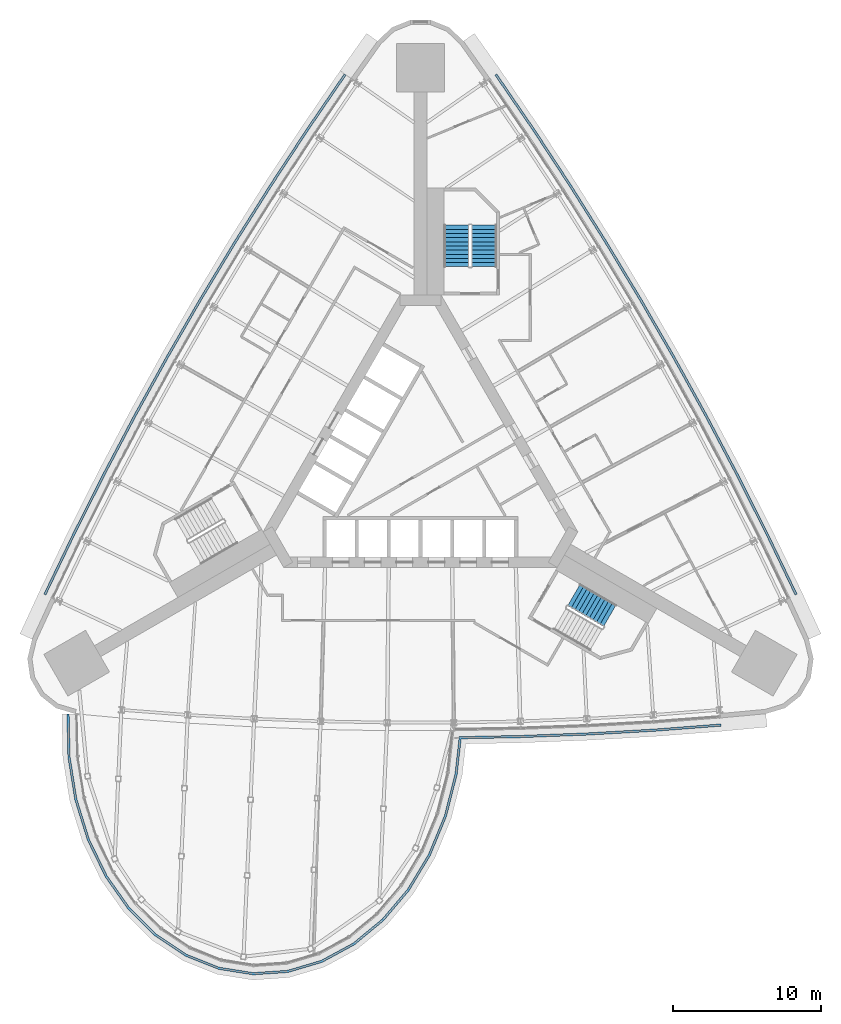
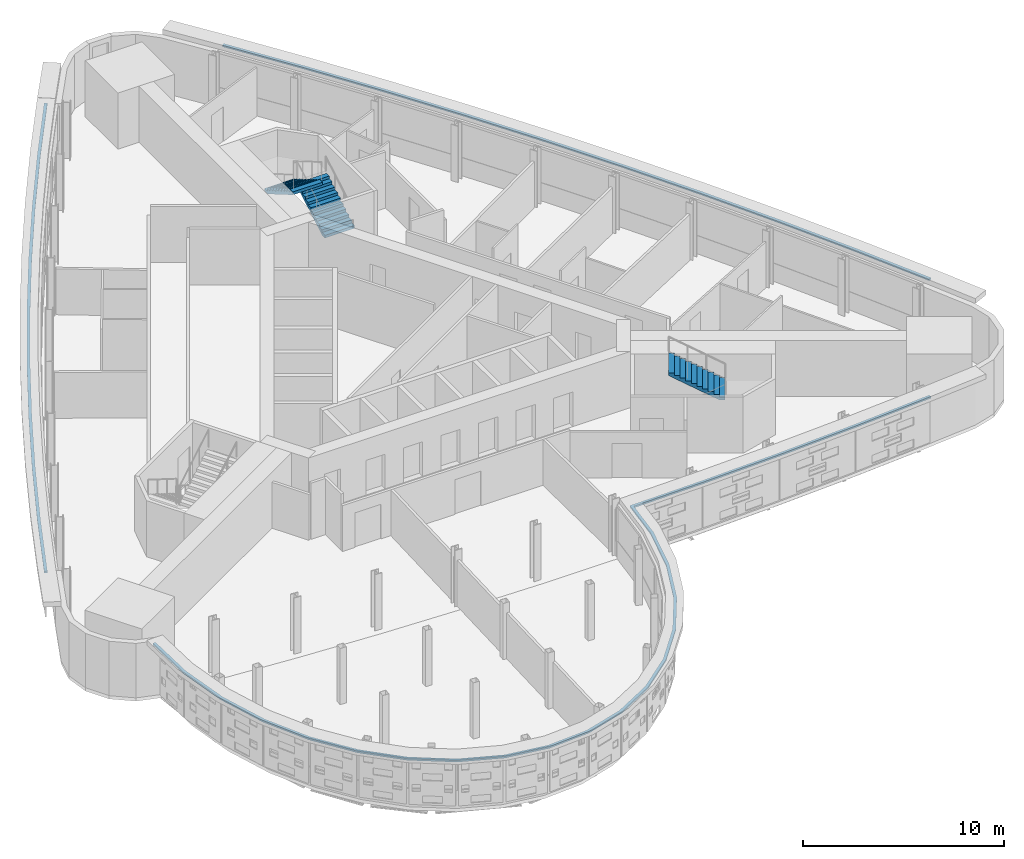
# One storey, part 13 of 16: 3 discrete accessories, 3 stair flights, 2 elements without a shape of their own.
"""IFC4 building model written with IfcOpenShell, lengths in metres."""

from ifc_helpers import new_model, si_unit, direction, frame, origin, place, context, subcontext, project, spatial, polyline, outline, extrude, material, type_object, element, aggregate, save


model = new_model("IFC4")

# Units and contexts
model_context = context("Model", 3, precision=1e-05, world=origin(), true_north=direction((0.0, 1.0)))
body_context = subcontext(model_context, "Body", "Model", "MODEL_VIEW")
ifc_project = project(units=[si_unit("LENGTHUNIT", "METRE"), si_unit("AREAUNIT", "SQUARE_METRE"), si_unit("VOLUMEUNIT", "CUBIC_METRE"), si_unit("PLANEANGLEUNIT", "RADIAN"), si_unit("MASSUNIT", "GRAM", prefix="KILO")], contexts=[model_context])

# Site, building, storey
site_placement = place(None, origin())
site = spatial("IfcSite", under=ifc_project, at=site_placement, CompositionType="ELEMENT")
building_placement = place(site_placement, origin())
building = spatial("IfcBuilding", under=site, at=building_placement, Name="Noor Cloister Tower", CompositionType="ELEMENT")
storey_placement = place(building_placement, frame((0.0, 0.0, 61.800048828125)))
storey = spatial("IfcBuildingStorey", under=building, at=storey_placement, Name="L15", CompositionType="ELEMENT", Elevation=61.800048828125)

# Stair, stair flights
ifc_material_1 = material(Name="Concrete C40/50", Category="concrete")
stair_type = type_object("IfcStairType", Name="Exit stair 22 risers", PredefinedType="HALF_TURN_STAIR", material=ifc_material_1)
stair_1_placement = place(storey_placement, origin())
stair_1 = element("IfcStair", 1, at=stair_1_placement, inside=storey, type_object=stair_type, Name="Exit stair ST1 L15", PredefinedType="HALF_TURN_STAIR")
ifc_material_2 = material(Name="Concrete C40/50", Category="concrete")
stair_flight_type = type_object("IfcStairFlightType", Name="Exit stair flight", PredefinedType="STRAIGHT", material=ifc_material_2)
stair_flight_1_placement = place(storey_placement, frame((4.28564453125, 13.3564453125, 0.0), z_axis=(0.0, 0.0, 1.0), x_axis=(0.0, 1.0, 0.0)))
stair_flight_1 = element("IfcStairFlight", 2, at=stair_flight_1_placement, type_object=stair_flight_type, Name="ST1 flight 1", NumberOfRisers=11, NumberOfTreads=10, PredefinedType="STRAIGHT", RiserHeight=0.163636364, TreadLength=0.28, context=body_context, shape_type="SweptSolid", body=[
    extrude(outline(polyline([(0.0, 0.0), (0.0, 0.16357421875), (0.280029296875, 0.16357421875), (0.280029296875, 0.327392578125), (0.56005859375, 0.327392578125), (0.56005859375, 0.490966796875), (0.840087890625, 0.490966796875), (0.840087890625, 0.654541015625), (1.1201171875, 0.654541015625), (1.1201171875, 0.818115234375), (1.39990234375, 0.818115234375), (1.39990234375, 0.98193359375), (1.679931640625, 0.98193359375), (1.679931640625, 1.1455078125), (1.9599609375, 1.1455078125), (1.9599609375, 1.30908203125), (2.239990234375, 1.30908203125), (2.239990234375, 1.47265625), (2.52001953125, 1.47265625), (2.52001953125, 1.636474609375), (2.800048828125, 1.636474609375), (2.800048828125, 1.800048828125), (2.800048828125, 1.462646484375), (0.297119140625, 0.0), (0.0, 0.0)])), frame((0.0, 0.85009765625, 0.0), z_axis=(0.0, -1.0, 0.0), x_axis=(1.0, 0.0, 0.0)), (0.0, 0.0, 1.0), 1.699951171875),
])
stair_flight_2_placement = place(storey_placement, frame((2.435546875, 16.156494140625, 1.800048828125), z_axis=(0.0, 0.0, 1.0), x_axis=(0.0, -1.0, 0.0)))
stair_flight_2 = element("IfcStairFlight", 3, at=stair_flight_2_placement, type_object=stair_flight_type, Name="ST1 flight 2", NumberOfRisers=11, NumberOfTreads=10, PredefinedType="STRAIGHT", RiserHeight=0.163636364, TreadLength=0.28, context=body_context, shape_type="SweptSolid", body=[
    extrude(outline(polyline([(0.0, 0.0), (0.0, 0.16357421875), (0.280029296875, 0.16357421875), (0.280029296875, 0.327392578125), (0.56005859375, 0.327392578125), (0.56005859375, 0.490966796875), (0.840087890625, 0.490966796875), (0.840087890625, 0.654541015625), (1.1201171875, 0.654541015625), (1.1201171875, 0.818115234375), (1.39990234375, 0.818115234375), (1.39990234375, 0.98193359375), (1.679931640625, 0.98193359375), (1.679931640625, 1.1455078125), (1.9599609375, 1.1455078125), (1.9599609375, 1.30908203125), (2.239990234375, 1.30908203125), (2.239990234375, 1.47265625), (2.52001953125, 1.47265625), (2.52001953125, 1.636474609375), (2.800048828125, 1.636474609375), (2.800048828125, 1.800048828125), (2.800048828125, 1.462646484375), (0.297119140625, 0.0), (0.0, 0.0)])), frame((0.0, 0.85009765625, 0.0), z_axis=(0.0, -1.0, 0.0), x_axis=(1.0, 0.0, 0.0)), (0.0, 0.0, 1.0), 1.699951171875),
])
aggregate(stair_1, [stair_flight_1, stair_flight_2])

# Stair, stair flight
stair_2_placement = place(storey_placement, origin())
stair_2 = element("IfcStair", 4, at=stair_2_placement, inside=storey, type_object=stair_type, Name="Exit stair ST3 L15", PredefinedType="HALF_TURN_STAIR")
stair_flight_3_placement = place(storey_placement, frame((12.77392578125, -10.1875, 1.800048828125), z_axis=(0.0, 0.0, 1.0), x_axis=(-0.866025403784, 0.5, 0.0)))
stair_flight_3 = element("IfcStairFlight", 5, at=stair_flight_3_placement, type_object=stair_flight_type, Name="ST3 flight 2", NumberOfRisers=11, NumberOfTreads=10, PredefinedType="STRAIGHT", RiserHeight=0.163636364, TreadLength=0.28, context=body_context, shape_type="SweptSolid", body=[
    extrude(outline(polyline([(0.0, 0.0), (0.0, 0.16357421875), (0.280029296875, 0.16357421875), (0.280029296875, 0.327392578125), (0.56005859375, 0.327392578125), (0.56005859375, 0.490966796875), (0.840087890625, 0.490966796875), (0.840087890625, 0.654541015625), (1.1201171875, 0.654541015625), (1.1201171875, 0.818115234375), (1.39990234375, 0.818115234375), (1.39990234375, 0.98193359375), (1.679931640625, 0.98193359375), (1.679931640625, 1.1455078125), (1.9599609375, 1.1455078125), (1.9599609375, 1.30908203125), (2.239990234375, 1.30908203125), (2.239990234375, 1.47265625), (2.52001953125, 1.47265625), (2.52001953125, 1.636474609375), (2.800048828125, 1.636474609375), (2.800048828125, 1.800048828125), (2.800048828125, 1.462646484375), (0.297119140625, 0.0), (0.0, 0.0)])), frame((0.0, 0.85009765625, 0.0), z_axis=(0.0, -1.0, 0.0), x_axis=(1.0, 0.0, 0.0)), (0.0, 0.0, 1.0), 1.699951171875),
])
aggregate(stair_2, [stair_flight_3])

# Discrete accessories
ifc_material_3 = material(Name="Stainless steel grade 316", Category="steel")
discrete_accessory_type = type_object("IfcDiscreteAccessoryType", Name="Stainless hanger rail", PredefinedType="BRACKET", material=ifc_material_3)
discrete_accessory_1_placement = place(storey_placement, frame((0.0, 0.0, 3.199951171875)))
element("IfcDiscreteAccessory", 6, at=discrete_accessory_1_placement, inside=storey, type_object=discrete_accessory_type, Name="Hanger rail L15", PredefinedType="BRACKET", context=body_context, shape_type="SweptSolid", body=[
    extrude(outline(polyline([(-5.14599609375, 26.374267578125), (-7.689697265625, 22.65576171875), (-10.1650390625, 18.885009765625), (-12.56787109375, 15.067626953125), (-14.8974609375, 11.205078125), (-17.152587890625, 7.298828125), (-19.3330078125, 3.35009765625), (-21.4375, -0.639404296875), (-23.46533203125, -4.66845703125), (-25.413818359375, -8.730712890625), (-25.26953125, -8.7998046875), (-23.32177734375, -4.739013671875), (-21.295166015625, -0.712646484375), (-19.192138671875, 3.274169921875), (-17.013427734375, 7.22021484375), (-14.759521484375, 11.123779296875), (-12.431640625, 14.98388671875), (-10.030517578125, 18.798583984375), (-7.556884765625, 22.56689453125), (-5.013916015625, 26.283935546875), (-5.14599609375, 26.374267578125)])), origin(), (0.0, 0.0, 1.0), 0.10009765625),
])
discrete_accessory_2_placement = place(storey_placement, frame((0.0, 0.0, 3.199951171875)))
element("IfcDiscreteAccessory", 7, at=discrete_accessory_2_placement, inside=storey, type_object=discrete_accessory_type, Name="Hanger rail L15", PredefinedType="BRACKET", context=body_context, shape_type="SweptSolid", body=[
    extrude(outline(polyline([(-23.857177734375, -16.813232421875), (-23.790283203125, -19.72265625), (-23.325927734375, -22.60107421875), (-22.47705078125, -25.32568359375), (-21.266845703125, -27.815185546875), (-19.728515625, -29.9951171875), (-17.904541015625, -31.7978515625), (-15.846923828125, -33.1650390625), (-13.617431640625, -34.04931640625), (-11.286865234375, -34.418701171875), (-8.9326171875, -34.259033203125), (-6.6328125, -33.577392578125), (-4.461181640625, -32.399658203125), (-2.4833984375, -30.76708984375), (-0.756591796875, -28.7333984375), (0.671142578125, -26.36181640625), (1.760009765625, -23.72412109375), (2.47998046875, -20.898681640625), (2.75146484375, -18.49462890625), (6.76513671875, -18.41796875), (11.2724609375, -18.24560546875), (15.775634765625, -17.987548828125), (20.267822265625, -17.6435546875), (20.255615234375, -17.484130859375), (15.764892578125, -17.827880859375), (11.264892578125, -18.0859375), (6.760498046875, -18.258056640625), (2.608154296875, -18.33740234375), (2.322265625, -20.869873046875), (1.60791015625, -23.673583984375), (0.52783203125, -26.289794921875), (-0.886962890625, -28.639892578125), (-2.59619140625, -30.65283203125), (-4.55126953125, -32.266357421875), (-6.6943359375, -33.4287109375), (-8.9609375, -34.1005859375), (-11.279541015625, -34.2578125), (-13.574951171875, -33.89404296875), (-15.7724609375, -33.0224609375), (-17.80322265625, -31.673095703125), (-19.60595703125, -29.891357421875), (-21.128662109375, -27.733642578125), (-22.327880859375, -25.266357421875), (-23.169677734375, -22.564453125), (-23.630615234375, -19.7080078125), (-23.697265625, -16.8095703125), (-23.857177734375, -16.813232421875)])), origin(), (0.0, 0.0, 1.0), 0.10009765625),
])
discrete_accessory_3_placement = place(storey_placement, frame((0.0, 0.0, 3.199951171875)))
element("IfcDiscreteAccessory", 8, at=discrete_accessory_3_placement, inside=storey, type_object=discrete_accessory_type, Name="Hanger rail L15", PredefinedType="BRACKET", context=body_context, shape_type="SweptSolid", body=[
    extrude(outline(polyline([(25.413818359375, -8.730712890625), (23.46533203125, -4.66845703125), (21.4375, -0.639404296875), (19.3330078125, 3.35009765625), (17.152587890625, 7.298828125), (14.8974609375, 11.205078125), (12.56787109375, 15.067626953125), (10.1650390625, 18.885009765625), (7.689697265625, 22.65576171875), (5.14599609375, 26.374267578125), (5.013916015625, 26.283935546875), (7.556884765625, 22.56689453125), (10.030517578125, 18.798583984375), (12.431640625, 14.98388671875), (14.759521484375, 11.123779296875), (17.013427734375, 7.22021484375), (19.192138671875, 3.274169921875), (21.295166015625, -0.712646484375), (23.32177734375, -4.739013671875), (25.26953125, -8.7998046875), (25.413818359375, -8.730712890625)])), origin(), (0.0, 0.0, 1.0), 0.10009765625),
])

save(model, "model.ifc")
